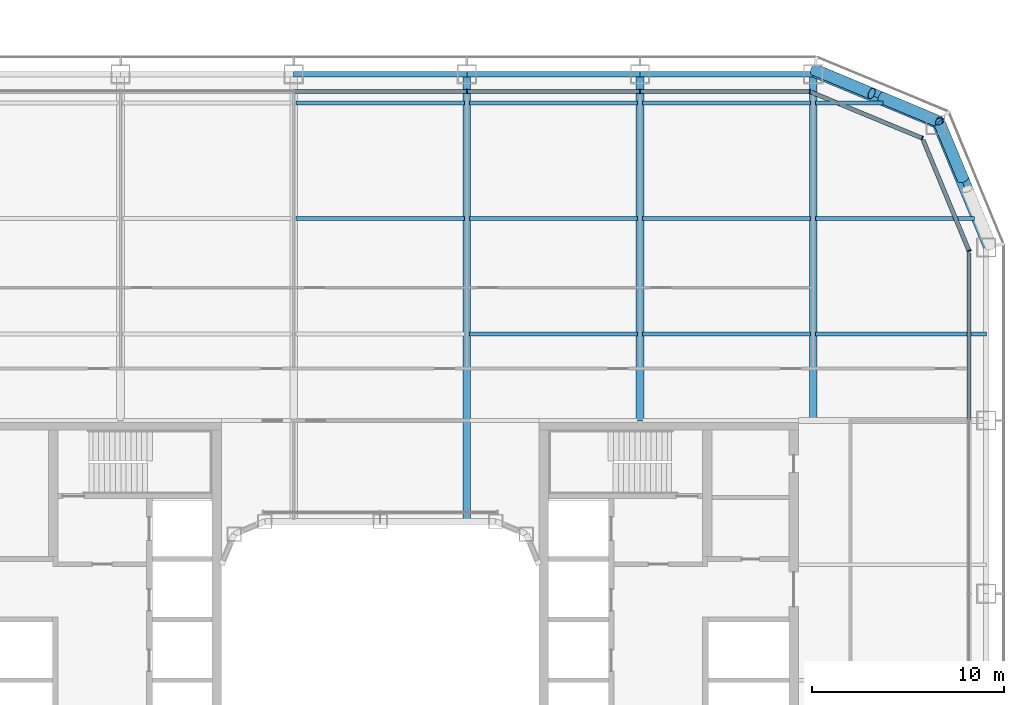
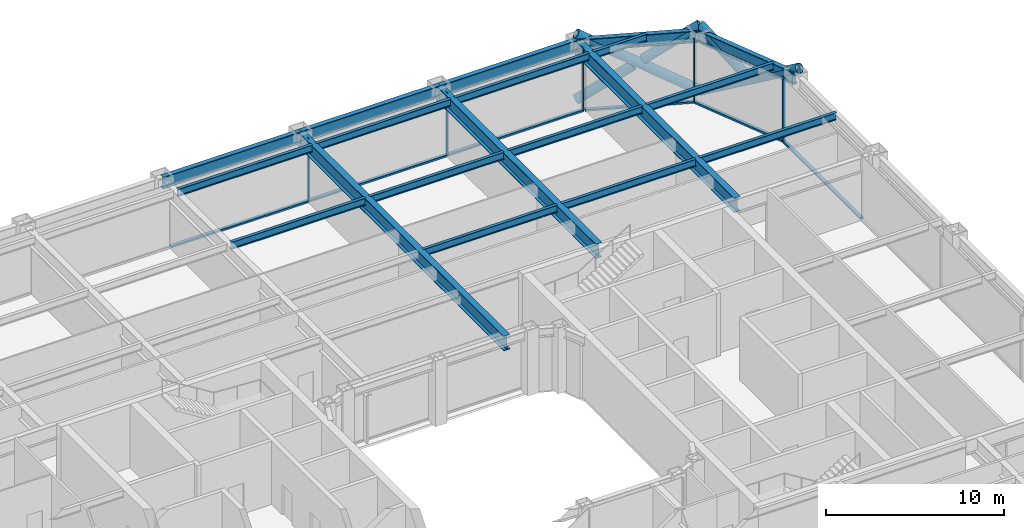
# One storey, part 10 of 29: 19 beams, 16 members, 4 elements without a shape of their own.
"""IFC4 building model written with IfcOpenShell, lengths in metres."""

from ifc_helpers import new_model, si_unit, direction, frame, origin, origin_2d, place, context, subcontext, project, spatial, rectangle, hollow_circle, i_section, extrude, material, layer, layer_set, material_profile, profile_set, type_object, element, aggregate, save


model = new_model("IFC4")

# Units and contexts
model_context = context("Model", 3, precision=1e-05, world=origin(), true_north=direction((0.0, 1.0)))
body_context = subcontext(model_context, "Body", "Model", "MODEL_VIEW")
ifc_project = project(units=[si_unit("LENGTHUNIT", "METRE"), si_unit("AREAUNIT", "SQUARE_METRE"), si_unit("VOLUMEUNIT", "CUBIC_METRE"), si_unit("PLANEANGLEUNIT", "RADIAN"), si_unit("MASSUNIT", "GRAM", prefix="KILO")], contexts=[model_context])

# Site, building, storey
site_placement = place(None, origin())
site = spatial("IfcSite", under=ifc_project, at=site_placement, CompositionType="ELEMENT")
building_placement = place(site_placement, origin())
building = spatial("IfcBuilding", under=site, at=building_placement, Name="Siwar Civic Tower", CompositionType="ELEMENT")
storey_placement = place(building_placement, frame((0.0, 0.0, 67.199951171875)))
storey = spatial("IfcBuildingStorey", under=building, at=storey_placement, Name="L14", CompositionType="ELEMENT", Elevation=67.199951171875)

# Curtain wall, member
ifc_material_1 = material(Name="Aluminium clad insulated panel", Category="aluminium")
ifc_layer_1 = layer(ifc_material_1, 0.219970703125)
ifc_layer_set_1 = layer_set([ifc_layer_1], Name="Aluminium clad insulated panel")
curtain_wall_type_1 = type_object("IfcCurtainWallType", Name="ENV-CW-AX", PredefinedType="NOTDEFINED", material=ifc_layer_set_1)
curtain_wall_1_placement = place(storey_placement, origin())
curtain_wall_1 = element("IfcCurtainWall", 1, at=curtain_wall_1_placement, inside=storey, type_object=curtain_wall_type_1, Name="Curtain wall A NE1", PredefinedType="NOTDEFINED")
ifc_material_2 = material(Name="Aluminium 6063-T6", Category="aluminium")
ifc_material_profile_1 = material_profile(ifc_material_2, rectangle(XDim=0.219970703125, YDim=0.070068359375, at=origin_2d()), Name="AL 220x70")
ifc_profile_set_1 = profile_set([ifc_material_profile_1], Name="Aluminium 6063-T6")
member_type_1 = type_object("IfcMemberType", Name="ENV-MULLION-A", PredefinedType="MULLION", material=ifc_profile_set_1)
member_1_placement = place(storey_placement, frame((30.60009765625, 22.321044921875, 0.0), z_axis=(0.0, 0.0, 1.0), x_axis=(-0.923879532511, -0.382683432365, 0.0)))
member_1 = element("IfcMember", 2, at=member_1_placement, type_object=member_type_1, Name="Mullion A NE1 1", PredefinedType="MULLION", context=body_context, shape_type="SweptSolid", body=[
    extrude(rectangle(XDim=0.219970703125, YDim=0.070068359375, at=origin_2d()), origin(), (0.0, 0.0, 1.0), 4.35009765625),
])

curtain_wall_2_placement = place(storey_placement, origin())
curtain_wall_2 = element("IfcCurtainWall", 3, at=curtain_wall_2_placement, inside=storey, type_object=curtain_wall_type_1, Name="Curtain wall A NE2", PredefinedType="NOTDEFINED")
member_2_placement = place(storey_placement, frame((28.175048828125, 28.175048828125, 0.0), z_axis=(0.0, 0.0, 1.0), x_axis=(-0.382683432365, -0.923879532511, 0.0)))
member_2 = element("IfcMember", 4, at=member_2_placement, type_object=member_type_1, Name="Mullion A NE2 1", PredefinedType="MULLION", context=body_context, shape_type="SweptSolid", body=[
    extrude(rectangle(XDim=0.219970703125, YDim=0.070068359375, at=origin_2d()), origin(), (0.0, 0.0, 1.0), 4.35009765625),
])

# Curtain wall, members
ifc_material_3 = material(Name="Aluminium and glass", Category="aluminium")
ifc_layer_2 = layer(ifc_material_3, 0.219970703125)
ifc_layer_set_2 = layer_set([ifc_layer_2], Name="Aluminium and glass")
curtain_wall_type_2 = type_object("IfcCurtainWallType", Name="ENV-CW-A", PredefinedType="NOTDEFINED", material=ifc_layer_set_2)
curtain_wall_3_placement = place(storey_placement, origin())
curtain_wall_3 = element("IfcCurtainWall", 5, at=curtain_wall_3_placement, inside=storey, type_object=curtain_wall_type_2, Name="Curtain wall A N", PredefinedType="NOTDEFINED")
member_3_placement = place(storey_placement, frame((22.321044921875, 30.60009765625, 0.0), z_axis=(0.0, 0.0, 1.0), x_axis=(0.0, -1.0, 0.0)))
member_3 = element("IfcMember", 6, at=member_3_placement, type_object=member_type_1, Name="Mullion A N 1", PredefinedType="MULLION", context=body_context, shape_type="SweptSolid", body=[
    extrude(rectangle(XDim=0.219970703125, YDim=0.070068359375, at=origin_2d()), origin(), (0.0, 0.0, 1.0), 4.35009765625),
])
member_4_placement = place(storey_placement, frame((13.5, 30.60009765625, 0.0), z_axis=(0.0, 0.0, 1.0), x_axis=(0.0, -1.0, 0.0)))
member_4 = element("IfcMember", 7, at=member_4_placement, type_object=member_type_1, Name="Mullion A N 2", PredefinedType="MULLION", context=body_context, shape_type="SweptSolid", body=[
    extrude(rectangle(XDim=0.219970703125, YDim=0.070068359375, at=origin_2d()), origin(), (0.0, 0.0, 1.0), 4.35009765625),
])
member_5_placement = place(storey_placement, frame((4.5, 30.60009765625, 0.0), z_axis=(0.0, 0.0, 1.0), x_axis=(0.0, -1.0, 0.0)))
member_5 = element("IfcMember", 8, at=member_5_placement, type_object=member_type_1, Name="Mullion A N 3", PredefinedType="MULLION", context=body_context, shape_type="SweptSolid", body=[
    extrude(rectangle(XDim=0.219970703125, YDim=0.070068359375, at=origin_2d()), origin(), (0.0, 0.0, 1.0), 4.35009765625),
])

# Curtain wall, member
curtain_wall_4_placement = place(storey_placement, origin())
curtain_wall_4 = element("IfcCurtainWall", 9, at=curtain_wall_4_placement, inside=storey, type_object=curtain_wall_type_2, Name="Curtain wall A E", PredefinedType="NOTDEFINED")
ifc_material_4 = material(Name="Aluminium 6063-T6", Category="aluminium")
ifc_material_profile_2 = material_profile(ifc_material_4, rectangle(XDim=0.219970703125, YDim=0.1201171875, at=origin_2d()), Name="AL 220x120")
ifc_profile_set_2 = profile_set([ifc_material_profile_2], Name="Aluminium 6063-T6")
member_type_2 = type_object("IfcMemberType", Name="ENV-TRANSOM-A", PredefinedType="USERDEFINED", material=ifc_profile_set_2)
member_6_placement = place(storey_placement, frame((30.60009765625, 13.534912109375, 0.06005859375), z_axis=(0.0, 1.0, 0.0), x_axis=(-1.0, 0.0, 0.0)))
member_6 = element("IfcMember", 10, at=member_6_placement, type_object=member_type_2, Name="Transom A E 5", ObjectType="TRANSOM", PredefinedType="USERDEFINED", context=body_context, shape_type="SweptSolid", body=[
    extrude(rectangle(XDim=0.219970703125, YDim=0.1201171875, at=origin_2d()), origin(), (0.0, 0.0, 1.0), 8.66357421875),
])
aggregate(curtain_wall_4, [member_6])

# Member
member_7_placement = place(storey_placement, frame((30.586669921875, 22.353271484375, 0.06005859375), z_axis=(-0.382698415042, 0.923873326341, 0.0), x_axis=(-0.923873326341, -0.382698415042, 0.0)))
member_7 = element("IfcMember", 11, at=member_7_placement, type_object=member_type_2, Name="Transom A NE1 1", ObjectType="TRANSOM", PredefinedType="USERDEFINED", context=body_context, shape_type="SweptSolid", body=[
    extrude(rectangle(XDim=0.219970703125, YDim=0.1201171875, at=origin_2d()), origin(), (0.0, 0.0, 1.0), 6.17919921875),
])

aggregate(curtain_wall_1, [member_1, member_7])

member_8_placement = place(storey_placement, frame((28.142822265625, 28.1884765625, 0.06005859375), z_axis=(-0.923873326341, 0.382698415042, 0.0), x_axis=(-0.382698415042, -0.923873326341, 0.0)))
member_8 = element("IfcMember", 12, at=member_8_placement, type_object=member_type_2, Name="Transom A NE2 1", ObjectType="TRANSOM", PredefinedType="USERDEFINED", context=body_context, shape_type="SweptSolid", body=[
    extrude(rectangle(XDim=0.219970703125, YDim=0.1201171875, at=origin_2d()), origin(), (0.0, 0.0, 1.0), 6.17919921875),
])

aggregate(curtain_wall_2, [member_2, member_8])

member_9_placement = place(storey_placement, frame((22.285888671875, 30.60009765625, 0.06005859375), z_axis=(-1.0, 0.0, 0.0), x_axis=(0.0, -1.0, 0.0)))
member_9 = element("IfcMember", 13, at=member_9_placement, type_object=member_type_2, Name="Transom A N 1", ObjectType="TRANSOM", PredefinedType="USERDEFINED", context=body_context, shape_type="SweptSolid", body=[
    extrude(rectangle(XDim=0.219970703125, YDim=0.1201171875, at=origin_2d()), origin(), (0.0, 0.0, 1.0), 8.7509765625),
])

member_10_placement = place(storey_placement, frame((13.465087890625, 30.60009765625, 0.06005859375), z_axis=(-1.0, 0.0, 0.0), x_axis=(0.0, -1.0, 0.0)))
member_10 = element("IfcMember", 14, at=member_10_placement, type_object=member_type_2, Name="Transom A N 2", ObjectType="TRANSOM", PredefinedType="USERDEFINED", context=body_context, shape_type="SweptSolid", body=[
    extrude(rectangle(XDim=0.219970703125, YDim=0.1201171875, at=origin_2d()), origin(), (0.0, 0.0, 1.0), 8.93017578125),
])

member_11_placement = place(storey_placement, frame((4.465087890625, 30.60009765625, 0.06005859375), z_axis=(-1.0, 0.0, 0.0), x_axis=(0.0, -1.0, 0.0)))
member_11 = element("IfcMember", 15, at=member_11_placement, type_object=member_type_2, Name="Transom A N 3", ObjectType="TRANSOM", PredefinedType="USERDEFINED", context=body_context, shape_type="SweptSolid", body=[
    extrude(rectangle(XDim=0.219970703125, YDim=0.1201171875, at=origin_2d()), origin(), (0.0, 0.0, 1.0), 8.93017578125),
])

aggregate(curtain_wall_3, [member_3, member_4, member_5, member_9, member_10, member_11])

# Members
ifc_material_5 = material(Name="Steel S355", Category="steel")
ifc_material_profile_3 = material_profile(ifc_material_5, hollow_circle(Radius=0.304931640625, WallThickness=0.030029296875, at=origin_2d()), Name="CHS610x30")
ifc_profile_set_3 = profile_set([ifc_material_profile_3], Name="Steel S355")
member_type_3 = type_object("IfcMemberType", Name="STR-BR-CHS610x30", PredefinedType="BRACE", material=ifc_profile_set_3)
member_12_placement = place(storey_placement, frame((29.040771484375, 29.040771484375, 0.0), z_axis=(-0.777554562952, 0.323905527954, 0.538975055633), x_axis=(-0.384538969033, -0.923108759191, 0.0)))
element("IfcMember", 16, at=member_12_placement, inside=storey, type_object=member_type_3, Name="L14/brc/ANE1-13-0-1", PredefinedType="BRACE", context=body_context, shape_type="SweptSolid", body=[
    extrude(hollow_circle(Radius=0.304931640625, WallThickness=0.030029296875, at=origin_2d()), origin(), (0.0, 0.0, 1.0), 8.34912109375),
])
member_13_placement = place(storey_placement, frame((22.548828125, 31.7451171875, 0.0), z_axis=(0.777533059308, -0.323882123145, 0.539020140617), x_axis=(0.384524353215, 0.923114847559, 0.0)))
element("IfcMember", 17, at=member_13_placement, inside=storey, type_object=member_type_3, Name="L14/brc/ANE1-13-0-2", PredefinedType="BRACE", context=body_context, shape_type="SweptSolid", body=[
    extrude(hollow_circle(Radius=0.304931640625, WallThickness=0.030029296875, at=origin_2d()), origin(), (0.0, 0.0, 1.0), 3.843505859375),
])
member_14_placement = place(storey_placement, frame((26.052001953125, 30.285888671875, 2.428466796875), z_axis=(0.777568797048, -0.323934068367, 0.538937366685), x_axis=(0.384561842466, 0.923099230484, 0.0)))
element("IfcMember", 18, at=member_14_placement, inside=storey, type_object=member_type_3, Name="L14/brc/ANE1-13-0-3", PredefinedType="BRACE", context=body_context, shape_type="SweptSolid", body=[
    extrude(hollow_circle(Radius=0.304931640625, WallThickness=0.030029296875, at=origin_2d()), origin(), (0.0, 0.0, 1.0), 3.84375),
])
member_15_placement = place(storey_placement, frame((29.040771484375, 29.040771484375, 0.0), z_axis=(0.323905527954, -0.777554562952, 0.538975055633), x_axis=(0.923108759191, 0.384538969033, 0.0)))
element("IfcMember", 19, at=member_15_placement, inside=storey, type_object=member_type_3, Name="L14/brc/ANE1-13-0-0", PredefinedType="BRACE", context=body_context, shape_type="SweptSolid", body=[
    extrude(hollow_circle(Radius=0.304931640625, WallThickness=0.030029296875, at=origin_2d()), origin(), (0.0, 0.0, 1.0), 8.34912109375),
])
member_16_placement = place(storey_placement, frame((30.285888671875, 26.052001953125, 2.428466796875), z_axis=(-0.323934068367, 0.777568797048, 0.538937366685), x_axis=(-0.923099230484, -0.384561842466, 0.0)))
element("IfcMember", 20, at=member_16_placement, inside=storey, type_object=member_type_3, Name="L14/brc/ANE1-13-0-5", PredefinedType="BRACE", context=body_context, shape_type="SweptSolid", body=[
    extrude(hollow_circle(Radius=0.304931640625, WallThickness=0.030029296875, at=origin_2d()), origin(), (0.0, 0.0, 1.0), 3.84375),
])

# Beams
ifc_material_6 = material(Name="Steel S355", Category="steel")
ifc_material_profile_4 = material_profile(ifc_material_6, i_section(OverallWidth=0.199951171875, OverallDepth=0.5, WebThickness=0.01025390625, FlangeThickness=0.01611328125, FilletRadius=0.02099609375, at=origin_2d()), Name="IPE500")
ifc_profile_set_4 = profile_set([ifc_material_profile_4], Name="Steel S355")
beam_type_1 = type_object("IfcBeamType", Name="STR-FB-IPE500", PredefinedType="JOIST", material=ifc_profile_set_4)
for number, where, z_axis, x_axis, name in (
    (21, (4.6298828125, 18.0, 4.10009765625), (1.0, 0.0, 0.0), (0.0, 1.0, 0.0), "L14/bm/F050"),
    (22, (13.6298828125, 18.0, 4.10009765625), (1.0, 0.0, 0.0), (0.0, 1.0, 0.0), "L14/bm/F051"),
):
    element("IfcBeam", number, at=place(storey_placement, frame(where, z_axis=z_axis, x_axis=x_axis)), inside=storey, type_object=beam_type_1, Name=name, PredefinedType="JOIST", context=body_context, shape_type="SweptSolid", body=[
        extrude(i_section(OverallWidth=0.199951171875, OverallDepth=0.5, WebThickness=0.01025390625, FlangeThickness=0.01611328125, FilletRadius=0.02099609375, at=origin_2d()), origin(), (0.0, 0.0, 1.0), 8.740234375),
    ])
beam_1_placement = place(storey_placement, frame((22.6298828125, 18.0, 4.10009765625), z_axis=(1.0, 0.0, 0.0), x_axis=(0.0, 1.0, 0.0)))
element("IfcBeam", 23, at=beam_1_placement, inside=storey, type_object=beam_type_1, Name="L14/bm/F052", PredefinedType="JOIST", context=body_context, shape_type="SweptSolid", body=[
    extrude(i_section(OverallWidth=0.199951171875, OverallDepth=0.5, WebThickness=0.01025390625, FlangeThickness=0.01611328125, FilletRadius=0.02099609375, at=origin_2d()), origin(), (0.0, 0.0, 1.0), 8.8701171875),
])
for number, where, z_axis, x_axis, name in (
    (24, (-4.3701171875, 24.0, 4.10009765625), (1.0, 0.0, 0.0), (0.0, 1.0, 0.0), "L14/bm/F056"),
    (25, (4.6298828125, 24.0, 4.10009765625), (1.0, 0.0, 0.0), (0.0, 1.0, 0.0), "L14/bm/F057"),
    (26, (13.6298828125, 24.0, 4.10009765625), (1.0, 0.0, 0.0), (0.0, 1.0, 0.0), "L14/bm/F058"),
):
    element("IfcBeam", number, at=place(storey_placement, frame(where, z_axis=z_axis, x_axis=x_axis)), inside=storey, type_object=beam_type_1, Name=name, PredefinedType="JOIST", context=body_context, shape_type="SweptSolid", body=[
        extrude(i_section(OverallWidth=0.199951171875, OverallDepth=0.5, WebThickness=0.01025390625, FlangeThickness=0.01611328125, FilletRadius=0.02099609375, at=origin_2d()), origin(), (0.0, 0.0, 1.0), 8.740234375),
    ])
beam_2_placement = place(storey_placement, frame((22.6298828125, 24.0, 4.10009765625), z_axis=(1.0, 0.0, 0.0), x_axis=(0.0, 1.0, 0.0)))
element("IfcBeam", 27, at=beam_2_placement, inside=storey, type_object=beam_type_1, Name="L14/bm/F059", PredefinedType="JOIST", context=body_context, shape_type="SweptSolid", body=[
    extrude(i_section(OverallWidth=0.199951171875, OverallDepth=0.5, WebThickness=0.01025390625, FlangeThickness=0.01611328125, FilletRadius=0.02099609375, at=origin_2d()), origin(), (0.0, 0.0, 1.0), 8.248779296875),
])
for number, where, z_axis, x_axis, name in (
    (28, (-4.3701171875, 30.0, 4.10009765625), (1.0, 0.0, 0.0), (0.0, 1.0, 0.0), "L14/bm/F063"),
    (29, (4.6298828125, 30.0, 4.10009765625), (1.0, 0.0, 0.0), (0.0, 1.0, 0.0), "L14/bm/F064"),
    (30, (13.6298828125, 30.0, 4.10009765625), (1.0, 0.0, 0.0), (0.0, 1.0, 0.0), "L14/bm/F065"),
):
    element("IfcBeam", number, at=place(storey_placement, frame(where, z_axis=z_axis, x_axis=x_axis)), inside=storey, type_object=beam_type_1, Name=name, PredefinedType="JOIST", context=body_context, shape_type="SweptSolid", body=[
        extrude(i_section(OverallWidth=0.199951171875, OverallDepth=0.5, WebThickness=0.01025390625, FlangeThickness=0.01611328125, FilletRadius=0.02099609375, at=origin_2d()), origin(), (0.0, 0.0, 1.0), 8.740234375),
    ])
beam_3_placement = place(storey_placement, frame((22.6298828125, 30.0, 4.10009765625), z_axis=(1.0, 0.0, 0.0), x_axis=(0.0, 1.0, 0.0)))
element("IfcBeam", 31, at=beam_3_placement, inside=storey, type_object=beam_type_1, Name="L14/bm/F066", PredefinedType="JOIST", context=body_context, shape_type="SweptSolid", body=[
    extrude(i_section(OverallWidth=0.199951171875, OverallDepth=0.5, WebThickness=0.01025390625, FlangeThickness=0.01611328125, FilletRadius=0.02099609375, at=origin_2d()), origin(), (0.0, 0.0, 1.0), 3.491455078125),
])
ifc_material_7 = material(Name="Steel S355", Category="steel")
ifc_material_profile_5 = material_profile(ifc_material_7, i_section(OverallWidth=0.39990234375, OverallDepth=1.0, WebThickness=0.01611328125, FlangeThickness=0.0400390625, at=origin_2d()), Name="PG1000x400x16x40")
ifc_profile_set_5 = profile_set([ifc_material_profile_5], Name="Steel S355")
beam_type_2 = type_object("IfcBeamType", Name="STR-PG-PG1000x400x16x40", PredefinedType="BEAM", material=ifc_profile_set_5)
beam_4_placement = place(storey_placement, frame((4.5, 8.25, 3.85009765625), z_axis=(0.0, 1.0, 0.0), x_axis=(-1.0, 0.0, 0.0)))
element("IfcBeam", 32, at=beam_4_placement, inside=storey, type_object=beam_type_2, Name="L14/bm/G08", PredefinedType="BEAM", context=body_context, shape_type="SweptSolid", body=[
    extrude(i_section(OverallWidth=0.39990234375, OverallDepth=1.0, WebThickness=0.01611328125, FlangeThickness=0.0400390625, at=origin_2d()), origin(), (0.0, 0.0, 1.0), 23.25),
])
for number, where, z_axis, x_axis, name in (
    (33, (13.5, 13.5, 3.85009765625), (0.0, 1.0, 0.0), (-1.0, 0.0, 0.0), "L14/bm/G10"),
    (34, (22.5, 13.5, 3.85009765625), (0.0, 1.0, 0.0), (-1.0, 0.0, 0.0), "L14/bm/G12"),
):
    element("IfcBeam", number, at=place(storey_placement, frame(where, z_axis=z_axis, x_axis=x_axis)), inside=storey, type_object=beam_type_2, Name=name, PredefinedType="BEAM", context=body_context, shape_type="SweptSolid", body=[
        extrude(i_section(OverallWidth=0.39990234375, OverallDepth=1.0, WebThickness=0.01611328125, FlangeThickness=0.0400390625, at=origin_2d()), origin(), (0.0, 0.0, 1.0), 18.0),
    ])
ifc_material_8 = material(Name="Steel S355", Category="steel")
ifc_material_profile_6 = material_profile(ifc_material_8, i_section(OverallWidth=0.302978515625, OverallDepth=0.81396484375, WebThickness=0.02099609375, FlangeThickness=0.0400390625, FilletRadius=0.030029296875, at=origin_2d()), Name="HEM800")
ifc_profile_set_6 = profile_set([ifc_material_profile_6], Name="Steel S355")
beam_type_3 = type_object("IfcBeamType", Name="STR-SB-HEM800", PredefinedType="BEAM", material=ifc_profile_set_6)
for number, where, z_axis, x_axis, name in (
    (35, (31.5, 22.5, 3.943115234375), (-0.382674207535, 0.923883353507, 0.0), (-0.923883353507, -0.382674207535, 0.0), "L14/bm/SNE1-0"),
    (36, (28.864013671875, 28.864013671875, 3.943115234375), (-0.923883353507, 0.382674207535, 0.0), (-0.382674207535, -0.923883353507, 0.0), "L14/bm/SNE2-0"),
):
    element("IfcBeam", number, at=place(storey_placement, frame(where, z_axis=z_axis, x_axis=x_axis)), inside=storey, type_object=beam_type_3, Name=name, PredefinedType="BEAM", context=body_context, shape_type="SweptSolid", body=[
        extrude(i_section(OverallWidth=0.302978515625, OverallDepth=0.81396484375, WebThickness=0.02099609375, FlangeThickness=0.0400390625, FilletRadius=0.030029296875, at=origin_2d()), origin(), (0.0, 0.0, 1.0), 6.888427734375),
    ])
for number, where, z_axis, x_axis, name in (
    (37, (22.5, 31.5, 3.943115234375), (-1.0, 0.0, 0.0), (0.0, -1.0, 0.0), "L14/bm/SN-0"),
    (38, (13.5, 31.5, 3.943115234375), (-1.0, 0.0, 0.0), (0.0, -1.0, 0.0), "L14/bm/SN-1"),
    (39, (4.5, 31.5, 3.943115234375), (-1.0, 0.0, 0.0), (0.0, -1.0, 0.0), "L14/bm/SN-2"),
):
    element("IfcBeam", number, at=place(storey_placement, frame(where, z_axis=z_axis, x_axis=x_axis)), inside=storey, type_object=beam_type_3, Name=name, PredefinedType="BEAM", context=body_context, shape_type="SweptSolid", body=[
        extrude(i_section(OverallWidth=0.302978515625, OverallDepth=0.81396484375, WebThickness=0.02099609375, FlangeThickness=0.0400390625, FilletRadius=0.030029296875, at=origin_2d()), origin(), (0.0, 0.0, 1.0), 9.0),
    ])

save(model, "model.ifc")
